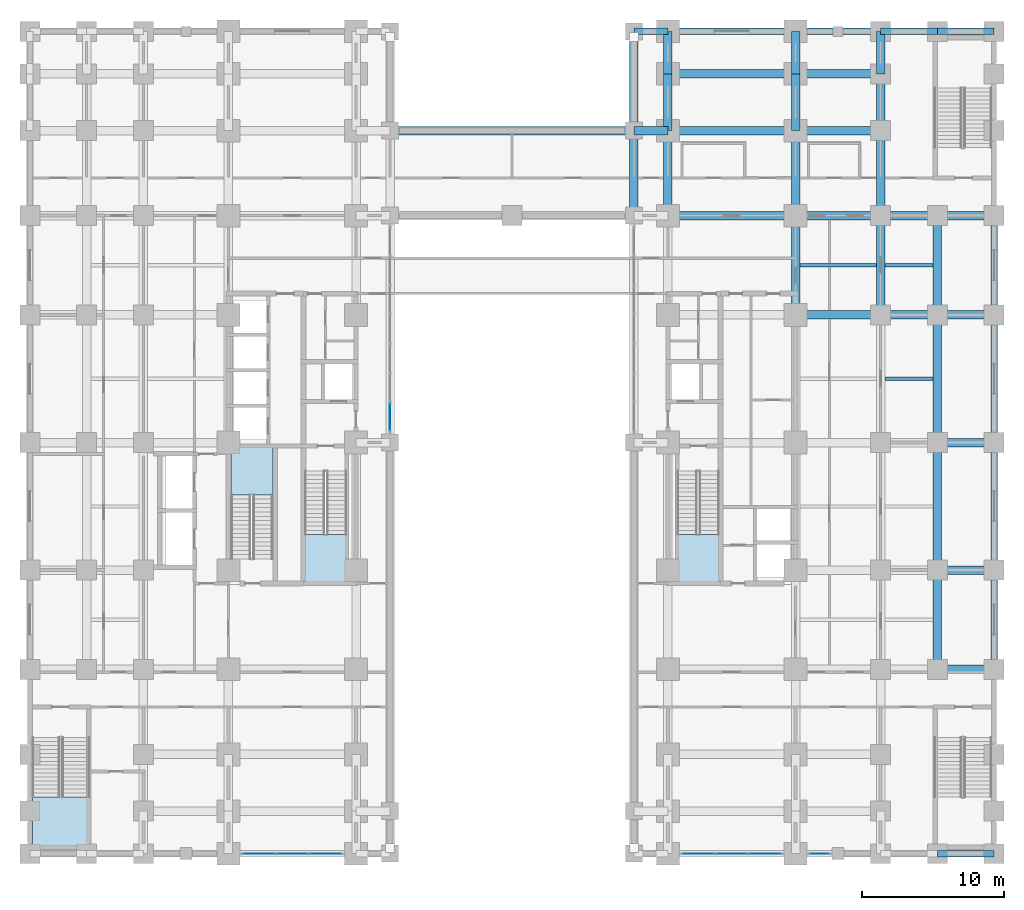
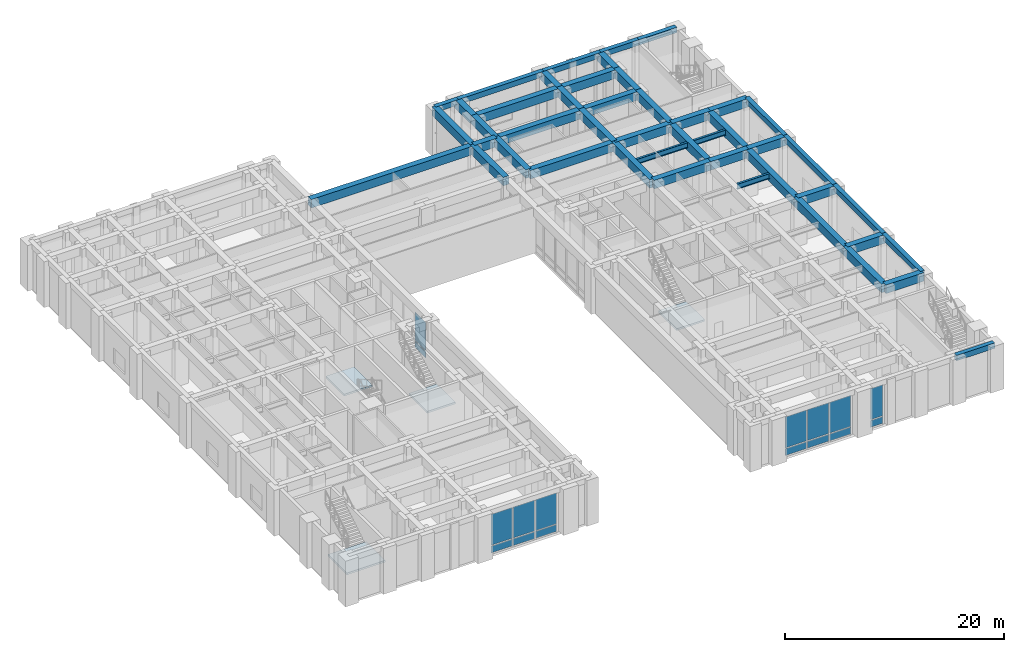
# One storey, part 6 of 21: 46 beams, 16 plates, 4 slabs, 8 elements without a shape of their own.
"""IFC4 building model written with IfcOpenShell, lengths in metres."""

from ifc_helpers import new_model, si_unit, direction, frame, origin, origin_2d, place, context, subcontext, project, spatial, polyline, rectangle, i_section, outline, extrude, material, layer, layer_set, material_profile, profile_set, type_object, element, aggregate, save


model = new_model("IFC4")

# Units and contexts
model_context = context("Model", 3, precision=1e-05, world=origin(), true_north=direction((0.0, 1.0)))
body_context = subcontext(model_context, "Body", "Model", "MODEL_VIEW")
ifc_project = project(units=[si_unit("LENGTHUNIT", "METRE"), si_unit("AREAUNIT", "SQUARE_METRE"), si_unit("VOLUMEUNIT", "CUBIC_METRE"), si_unit("PLANEANGLEUNIT", "RADIAN"), si_unit("MASSUNIT", "GRAM", prefix="KILO")], contexts=[model_context])

# Site, building, storey
site_placement = place(None, origin())
site = spatial("IfcSite", under=ifc_project, at=site_placement, CompositionType="ELEMENT")
building_placement = place(site_placement, origin())
building = spatial("IfcBuilding", under=site, at=building_placement, Name="Zulmaris Gate Convention Tower", CompositionType="ELEMENT")
storey_placement = place(building_placement, frame((0.0, 0.0, 5.43994140625)))
storey = spatial("IfcBuildingStorey", under=building, at=storey_placement, Name="L01", CompositionType="ELEMENT", Elevation=5.43994140625)

# Beams
ifc_material_1 = material(Name="Concrete C60/75", Category="concrete")
ifc_material_profile_1 = material_profile(ifc_material_1, rectangle(XDim=0.60009765625, YDim=0.949951171875, at=origin_2d()), Name="RC BEAM 600x950")
ifc_profile_set_1 = profile_set([ifc_material_profile_1], Name="Concrete C60/75")
beam_type_1 = type_object("IfcBeamType", Name="BM-RC600x950", PredefinedType="BEAM", material=ifc_profile_set_1)
for number, where, z_axis, x_axis, name in (
    (1, (30.0, -16.0, 4.614990234375), (1.0, 0.0, 0.0), (0.0, 1.0, 0.0), "L01 Beam BM-L01-X--16.0-+30.0"),
    (2, (30.0, -9.0, 4.614990234375), (1.0, 0.0, 0.0), (0.0, 1.0, 0.0), "L01 Beam BM-L01-X--9.0-+30.0"),
    (3, (30.0, 0.0, 4.614990234375), (1.0, 0.0, 0.0), (0.0, 1.0, 0.0), "L01 Beam BM-L01-X-+0.0-+30.0"),
):
    element("IfcBeam", number, at=place(storey_placement, frame(where, z_axis=z_axis, x_axis=x_axis)), inside=storey, type_object=beam_type_1, Name=name, PredefinedType="BEAM", context=body_context, shape_type="SweptSolid", body=[
        extrude(rectangle(XDim=0.60009765625, YDim=0.949951171875, at=origin_2d()), origin(), (0.0, 0.0, 1.0), 4.0),
    ])
beam_1_placement = place(storey_placement, frame((20.0, 9.0, 4.614990234375), z_axis=(1.0, 0.0, 0.0), x_axis=(0.0, 1.0, 0.0)))
element("IfcBeam", 4, at=beam_1_placement, inside=storey, type_object=beam_type_1, Name="L01 Beam BM-L01-X-+9.0-+20.0", PredefinedType="BEAM", context=body_context, shape_type="SweptSolid", body=[
    extrude(rectangle(XDim=0.60009765625, YDim=0.949951171875, at=origin_2d()), origin(), (0.0, 0.0, 1.0), 6.0),
])
for number, where, z_axis, x_axis, name in (
    (5, (26.0, 9.0, 4.614990234375), (1.0, 0.0, 0.0), (0.0, 1.0, 0.0), "L01 Beam BM-L01-X-+9.0-+26.0"),
    (6, (30.0, 9.0, 4.614990234375), (1.0, 0.0, 0.0), (0.0, 1.0, 0.0), "L01 Beam BM-L01-X-+9.0-+30.0"),
):
    element("IfcBeam", number, at=place(storey_placement, frame(where, z_axis=z_axis, x_axis=x_axis)), inside=storey, type_object=beam_type_1, Name=name, PredefinedType="BEAM", context=body_context, shape_type="SweptSolid", body=[
        extrude(rectangle(XDim=0.60009765625, YDim=0.949951171875, at=origin_2d()), origin(), (0.0, 0.0, 1.0), 4.0),
    ])
beam_2_placement = place(storey_placement, frame((11.0, 16.0, 4.614990234375), z_axis=(1.0, 0.0, 0.0), x_axis=(0.0, 1.0, 0.0)))
element("IfcBeam", 7, at=beam_2_placement, inside=storey, type_object=beam_type_1, Name="L01 Beam BM-L01-X-+16.0-+11.0", PredefinedType="BEAM", context=body_context, shape_type="SweptSolid", body=[
    extrude(rectangle(XDim=0.60009765625, YDim=0.949951171875, at=origin_2d()), origin(), (0.0, 0.0, 1.0), 9.0),
])
beam_3_placement = place(storey_placement, frame((20.0, 16.0, 4.614990234375), z_axis=(1.0, 0.0, 0.0), x_axis=(0.0, 1.0, 0.0)))
element("IfcBeam", 8, at=beam_3_placement, inside=storey, type_object=beam_type_1, Name="L01 Beam BM-L01-X-+16.0-+20.0", PredefinedType="BEAM", context=body_context, shape_type="SweptSolid", body=[
    extrude(rectangle(XDim=0.60009765625, YDim=0.949951171875, at=origin_2d()), origin(), (0.0, 0.0, 1.0), 6.0),
])
for number, where, z_axis, x_axis, name in (
    (9, (26.0, 16.0, 4.614990234375), (1.0, 0.0, 0.0), (0.0, 1.0, 0.0), "L01 Beam BM-L01-X-+16.0-+26.0"),
    (10, (30.0, 16.0, 4.614990234375), (1.0, 0.0, 0.0), (0.0, 1.0, 0.0), "L01 Beam BM-L01-X-+16.0-+30.0"),
):
    element("IfcBeam", number, at=place(storey_placement, frame(where, z_axis=z_axis, x_axis=x_axis)), inside=storey, type_object=beam_type_1, Name=name, PredefinedType="BEAM", context=body_context, shape_type="SweptSolid", body=[
        extrude(rectangle(XDim=0.60009765625, YDim=0.949951171875, at=origin_2d()), origin(), (0.0, 0.0, 1.0), 4.0),
    ])
beam_4_placement = place(storey_placement, frame((-8.60009765625, 22.0, 4.614990234375), z_axis=(1.0, 0.0, 0.0), x_axis=(0.0, 1.0, 0.0)))
element("IfcBeam", 11, at=beam_4_placement, inside=storey, type_object=beam_type_1, Name="L01 Beam BM-L01-X-+22.0--8.6", PredefinedType="BEAM", context=body_context, shape_type="SweptSolid", body=[
    extrude(rectangle(XDim=0.60009765625, YDim=0.949951171875, at=origin_2d()), origin(), (0.0, 0.0, 1.0), 17.2001953125),
])
beam_5_placement = place(storey_placement, frame((8.60009765625, 22.0, 4.614990234375), z_axis=(1.0, 0.0, 0.0), x_axis=(0.0, 1.0, 0.0)))
element("IfcBeam", 12, at=beam_5_placement, inside=storey, type_object=beam_type_1, Name="L01 Beam BM-L01-X-+22.0-+8.6", PredefinedType="BEAM", context=body_context, shape_type="SweptSolid", body=[
    extrude(rectangle(XDim=0.60009765625, YDim=0.949951171875, at=origin_2d()), origin(), (0.0, 0.0, 1.0), 2.39990234375),
])
beam_6_placement = place(storey_placement, frame((11.0, 22.0, 4.614990234375), z_axis=(1.0, 0.0, 0.0), x_axis=(0.0, 1.0, 0.0)))
element("IfcBeam", 13, at=beam_6_placement, inside=storey, type_object=beam_type_1, Name="L01 Beam BM-L01-X-+22.0-+11.0", PredefinedType="BEAM", context=body_context, shape_type="SweptSolid", body=[
    extrude(rectangle(XDim=0.60009765625, YDim=0.949951171875, at=origin_2d()), origin(), (0.0, 0.0, 1.0), 9.0),
])
beam_7_placement = place(storey_placement, frame((20.0, 22.0, 4.614990234375), z_axis=(1.0, 0.0, 0.0), x_axis=(0.0, 1.0, 0.0)))
element("IfcBeam", 14, at=beam_7_placement, inside=storey, type_object=beam_type_1, Name="L01 Beam BM-L01-X-+22.0-+20.0", PredefinedType="BEAM", context=body_context, shape_type="SweptSolid", body=[
    extrude(rectangle(XDim=0.60009765625, YDim=0.949951171875, at=origin_2d()), origin(), (0.0, 0.0, 1.0), 6.0),
])
beam_8_placement = place(storey_placement, frame((11.0, 26.0, 4.614990234375), z_axis=(1.0, 0.0, 0.0), x_axis=(0.0, 1.0, 0.0)))
element("IfcBeam", 15, at=beam_8_placement, inside=storey, type_object=beam_type_1, Name="L01 Beam BM-L01-X-+26.0-+11.0", PredefinedType="BEAM", context=body_context, shape_type="SweptSolid", body=[
    extrude(rectangle(XDim=0.60009765625, YDim=0.949951171875, at=origin_2d()), origin(), (0.0, 0.0, 1.0), 9.0),
])
for number, where, z_axis, x_axis, name in (
    (16, (20.0, 26.0, 4.614990234375), (1.0, 0.0, 0.0), (0.0, 1.0, 0.0), "L01 Beam BM-L01-X-+26.0-+20.0"),
    (17, (8.60009765625, 16.0, 4.614990234375), (0.0, 1.0, 0.0), (-1.0, 0.0, 0.0), "L01 Beam BM-L01-Y-+8.6-+16.0"),
):
    element("IfcBeam", number, at=place(storey_placement, frame(where, z_axis=z_axis, x_axis=x_axis)), inside=storey, type_object=beam_type_1, Name=name, PredefinedType="BEAM", context=body_context, shape_type="SweptSolid", body=[
        extrude(rectangle(XDim=0.60009765625, YDim=0.949951171875, at=origin_2d()), origin(), (0.0, 0.0, 1.0), 6.0),
    ])
beam_9_placement = place(storey_placement, frame((8.60009765625, 22.0, 4.614990234375), z_axis=(0.0, 1.0, 0.0), x_axis=(-1.0, 0.0, 0.0)))
element("IfcBeam", 18, at=beam_9_placement, inside=storey, type_object=beam_type_1, Name="L01 Beam BM-L01-Y-+8.6-+22.0", PredefinedType="BEAM", context=body_context, shape_type="SweptSolid", body=[
    extrude(rectangle(XDim=0.60009765625, YDim=0.949951171875, at=origin_2d()), origin(), (0.0, 0.0, 1.0), 7.0),
])
beam_10_placement = place(storey_placement, frame((11.0, 16.0, 4.614990234375), z_axis=(0.0, 1.0, 0.0), x_axis=(-1.0, 0.0, 0.0)))
element("IfcBeam", 19, at=beam_10_placement, inside=storey, type_object=beam_type_1, Name="L01 Beam BM-L01-Y-+11.0-+16.0", PredefinedType="BEAM", context=body_context, shape_type="SweptSolid", body=[
    extrude(rectangle(XDim=0.60009765625, YDim=0.949951171875, at=origin_2d()), origin(), (0.0, 0.0, 1.0), 6.0),
])
beam_11_placement = place(storey_placement, frame((11.0, 22.0, 4.614990234375), z_axis=(0.0, 1.0, 0.0), x_axis=(-1.0, 0.0, 0.0)))
element("IfcBeam", 20, at=beam_11_placement, inside=storey, type_object=beam_type_1, Name="L01 Beam BM-L01-Y-+11.0-+22.0", PredefinedType="BEAM", context=body_context, shape_type="SweptSolid", body=[
    extrude(rectangle(XDim=0.60009765625, YDim=0.949951171875, at=origin_2d()), origin(), (0.0, 0.0, 1.0), 4.0),
])
beam_12_placement = place(storey_placement, frame((11.0, 26.0, 4.614990234375), z_axis=(0.0, 1.0, 0.0), x_axis=(-1.0, 0.0, 0.0)))
element("IfcBeam", 21, at=beam_12_placement, inside=storey, type_object=beam_type_1, Name="L01 Beam BM-L01-Y-+11.0-+26.0", PredefinedType="BEAM", context=body_context, shape_type="SweptSolid", body=[
    extrude(rectangle(XDim=0.60009765625, YDim=0.949951171875, at=origin_2d()), origin(), (0.0, 0.0, 1.0), 3.0),
])
beam_13_placement = place(storey_placement, frame((20.0, 9.0, 4.614990234375), z_axis=(0.0, 1.0, 0.0), x_axis=(-1.0, 0.0, 0.0)))
element("IfcBeam", 22, at=beam_13_placement, inside=storey, type_object=beam_type_1, Name="L01 Beam BM-L01-Y-+20.0-+9.0", PredefinedType="BEAM", context=body_context, shape_type="SweptSolid", body=[
    extrude(rectangle(XDim=0.60009765625, YDim=0.949951171875, at=origin_2d()), origin(), (0.0, 0.0, 1.0), 7.0),
])
beam_14_placement = place(storey_placement, frame((20.0, 16.0, 4.614990234375), z_axis=(0.0, 1.0, 0.0), x_axis=(-1.0, 0.0, 0.0)))
element("IfcBeam", 23, at=beam_14_placement, inside=storey, type_object=beam_type_1, Name="L01 Beam BM-L01-Y-+20.0-+16.0", PredefinedType="BEAM", context=body_context, shape_type="SweptSolid", body=[
    extrude(rectangle(XDim=0.60009765625, YDim=0.949951171875, at=origin_2d()), origin(), (0.0, 0.0, 1.0), 6.0),
])
beam_15_placement = place(storey_placement, frame((20.0, 22.0, 4.614990234375), z_axis=(0.0, 1.0, 0.0), x_axis=(-1.0, 0.0, 0.0)))
element("IfcBeam", 24, at=beam_15_placement, inside=storey, type_object=beam_type_1, Name="L01 Beam BM-L01-Y-+20.0-+22.0", PredefinedType="BEAM", context=body_context, shape_type="SweptSolid", body=[
    extrude(rectangle(XDim=0.60009765625, YDim=0.949951171875, at=origin_2d()), origin(), (0.0, 0.0, 1.0), 4.0),
])
beam_16_placement = place(storey_placement, frame((20.0, 26.0, 4.614990234375), z_axis=(0.0, 1.0, 0.0), x_axis=(-1.0, 0.0, 0.0)))
element("IfcBeam", 25, at=beam_16_placement, inside=storey, type_object=beam_type_1, Name="L01 Beam BM-L01-Y-+20.0-+26.0", PredefinedType="BEAM", context=body_context, shape_type="SweptSolid", body=[
    extrude(rectangle(XDim=0.60009765625, YDim=0.949951171875, at=origin_2d()), origin(), (0.0, 0.0, 1.0), 3.0),
])
beam_17_placement = place(storey_placement, frame((26.0, 9.0, 4.614990234375), z_axis=(0.0, 1.0, 0.0), x_axis=(-1.0, 0.0, 0.0)))
element("IfcBeam", 26, at=beam_17_placement, inside=storey, type_object=beam_type_1, Name="L01 Beam BM-L01-Y-+26.0-+9.0", PredefinedType="BEAM", context=body_context, shape_type="SweptSolid", body=[
    extrude(rectangle(XDim=0.60009765625, YDim=0.949951171875, at=origin_2d()), origin(), (0.0, 0.0, 1.0), 7.0),
])
beam_18_placement = place(storey_placement, frame((26.0, 16.0, 4.614990234375), z_axis=(0.0, 1.0, 0.0), x_axis=(-1.0, 0.0, 0.0)))
element("IfcBeam", 27, at=beam_18_placement, inside=storey, type_object=beam_type_1, Name="L01 Beam BM-L01-Y-+26.0-+16.0", PredefinedType="BEAM", context=body_context, shape_type="SweptSolid", body=[
    extrude(rectangle(XDim=0.60009765625, YDim=0.949951171875, at=origin_2d()), origin(), (0.0, 0.0, 1.0), 6.0),
])
beam_19_placement = place(storey_placement, frame((26.0, 22.0, 4.614990234375), z_axis=(0.0, 1.0, 0.0), x_axis=(-1.0, 0.0, 0.0)))
element("IfcBeam", 28, at=beam_19_placement, inside=storey, type_object=beam_type_1, Name="L01 Beam BM-L01-Y-+26.0-+22.0", PredefinedType="BEAM", context=body_context, shape_type="SweptSolid", body=[
    extrude(rectangle(XDim=0.60009765625, YDim=0.949951171875, at=origin_2d()), origin(), (0.0, 0.0, 1.0), 4.0),
])
beam_20_placement = place(storey_placement, frame((26.0, 26.0, 4.614990234375), z_axis=(0.0, 1.0, 0.0), x_axis=(-1.0, 0.0, 0.0)))
element("IfcBeam", 29, at=beam_20_placement, inside=storey, type_object=beam_type_1, Name="L01 Beam BM-L01-Y-+26.0-+26.0", PredefinedType="BEAM", context=body_context, shape_type="SweptSolid", body=[
    extrude(rectangle(XDim=0.60009765625, YDim=0.949951171875, at=origin_2d()), origin(), (0.0, 0.0, 1.0), 3.0),
])
beam_21_placement = place(storey_placement, frame((30.0, -16.0, 4.614990234375), z_axis=(0.0, 1.0, 0.0), x_axis=(-1.0, 0.0, 0.0)))
element("IfcBeam", 30, at=beam_21_placement, inside=storey, type_object=beam_type_1, Name="L01 Beam BM-L01-Y-+30.0--16.0", PredefinedType="BEAM", context=body_context, shape_type="SweptSolid", body=[
    extrude(rectangle(XDim=0.60009765625, YDim=0.949951171875, at=origin_2d()), origin(), (0.0, 0.0, 1.0), 7.0),
])
for number, where, z_axis, x_axis, name in (
    (31, (30.0, -9.0, 4.614990234375), (0.0, 1.0, 0.0), (-1.0, 0.0, 0.0), "L01 Beam BM-L01-Y-+30.0--9.0"),
    (32, (30.0, 0.0, 4.614990234375), (0.0, 1.0, 0.0), (-1.0, 0.0, 0.0), "L01 Beam BM-L01-Y-+30.0-+0.0"),
):
    element("IfcBeam", number, at=place(storey_placement, frame(where, z_axis=z_axis, x_axis=x_axis)), inside=storey, type_object=beam_type_1, Name=name, PredefinedType="BEAM", context=body_context, shape_type="SweptSolid", body=[
        extrude(rectangle(XDim=0.60009765625, YDim=0.949951171875, at=origin_2d()), origin(), (0.0, 0.0, 1.0), 9.0),
    ])
beam_22_placement = place(storey_placement, frame((30.0, 9.0, 4.614990234375), z_axis=(0.0, 1.0, 0.0), x_axis=(-1.0, 0.0, 0.0)))
element("IfcBeam", 33, at=beam_22_placement, inside=storey, type_object=beam_type_1, Name="L01 Beam BM-L01-Y-+30.0-+9.0", PredefinedType="BEAM", context=body_context, shape_type="SweptSolid", body=[
    extrude(rectangle(XDim=0.60009765625, YDim=0.949951171875, at=origin_2d()), origin(), (0.0, 0.0, 1.0), 7.0),
])
ifc_material_2 = material(Name="Precast concrete C50/60", Category="concrete")
ifc_material_profile_2 = material_profile(ifc_material_2, rectangle(XDim=0.449951171875, YDim=0.60009765625, at=origin_2d()), Name="RC SPANDREL 450x600")
ifc_profile_set_2 = profile_set([ifc_material_profile_2], Name="Precast concrete C50/60")
beam_type_2 = type_object("IfcBeamType", Name="BM-SP450x600", PredefinedType="SPANDREL", material=ifc_profile_set_2)
beam_23_placement = place(storey_placement, frame((30.0, -29.0, 4.7900390625), z_axis=(1.0, 0.0, 0.0), x_axis=(0.0, 1.0, 0.0)))
element("IfcBeam", 34, at=beam_23_placement, inside=storey, type_object=beam_type_2, Name="L01 Spandrel BM-L01-X--29.0-+30.0", PredefinedType="SPANDREL", context=body_context, shape_type="SweptSolid", body=[
    extrude(rectangle(XDim=0.449951171875, YDim=0.60009765625, at=origin_2d()), origin(), (0.0, 0.0, 1.0), 4.0),
])
beam_24_placement = place(storey_placement, frame((8.60009765625, 29.0, 4.7900390625), z_axis=(1.0, 0.0, 0.0), x_axis=(0.0, 1.0, 0.0)))
element("IfcBeam", 35, at=beam_24_placement, inside=storey, type_object=beam_type_2, Name="L01 Spandrel BM-L01-X-+29.0-+8.6", PredefinedType="SPANDREL", context=body_context, shape_type="SweptSolid", body=[
    extrude(rectangle(XDim=0.449951171875, YDim=0.60009765625, at=origin_2d()), origin(), (0.0, 0.0, 1.0), 2.39990234375),
])
beam_25_placement = place(storey_placement, frame((11.0, 29.0, 4.7900390625), z_axis=(1.0, 0.0, 0.0), x_axis=(0.0, 1.0, 0.0)))
element("IfcBeam", 36, at=beam_25_placement, inside=storey, type_object=beam_type_2, Name="L01 Spandrel BM-L01-X-+29.0-+11.0", PredefinedType="SPANDREL", context=body_context, shape_type="SweptSolid", body=[
    extrude(rectangle(XDim=0.449951171875, YDim=0.60009765625, at=origin_2d()), origin(), (0.0, 0.0, 1.0), 9.0),
])
beam_26_placement = place(storey_placement, frame((20.0, 29.0, 4.7900390625), z_axis=(1.0, 0.0, 0.0), x_axis=(0.0, 1.0, 0.0)))
element("IfcBeam", 37, at=beam_26_placement, inside=storey, type_object=beam_type_2, Name="L01 Spandrel BM-L01-X-+29.0-+20.0", PredefinedType="SPANDREL", context=body_context, shape_type="SweptSolid", body=[
    extrude(rectangle(XDim=0.449951171875, YDim=0.60009765625, at=origin_2d()), origin(), (0.0, 0.0, 1.0), 6.0),
])
for number, where, z_axis, x_axis, name in (
    (38, (26.0, 29.0, 4.7900390625), (1.0, 0.0, 0.0), (0.0, 1.0, 0.0), "L01 Spandrel BM-L01-X-+29.0-+26.0"),
    (39, (30.0, 29.0, 4.7900390625), (1.0, 0.0, 0.0), (0.0, 1.0, 0.0), "L01 Spandrel BM-L01-X-+29.0-+30.0"),
):
    element("IfcBeam", number, at=place(storey_placement, frame(where, z_axis=z_axis, x_axis=x_axis)), inside=storey, type_object=beam_type_2, Name=name, PredefinedType="SPANDREL", context=body_context, shape_type="SweptSolid", body=[
        extrude(rectangle(XDim=0.449951171875, YDim=0.60009765625, at=origin_2d()), origin(), (0.0, 0.0, 1.0), 4.0),
    ])
beam_27_placement = place(storey_placement, frame((34.0, -16.0, 4.7900390625), z_axis=(0.0, 1.0, 0.0), x_axis=(-1.0, 0.0, 0.0)))
element("IfcBeam", 40, at=beam_27_placement, inside=storey, type_object=beam_type_2, Name="L01 Spandrel BM-L01-Y-+34.0--16.0", PredefinedType="SPANDREL", context=body_context, shape_type="SweptSolid", body=[
    extrude(rectangle(XDim=0.449951171875, YDim=0.60009765625, at=origin_2d()), origin(), (0.0, 0.0, 1.0), 7.0),
])
for number, where, z_axis, x_axis, name in (
    (41, (34.0, -9.0, 4.7900390625), (0.0, 1.0, 0.0), (-1.0, 0.0, 0.0), "L01 Spandrel BM-L01-Y-+34.0--9.0"),
    (42, (34.0, 0.0, 4.7900390625), (0.0, 1.0, 0.0), (-1.0, 0.0, 0.0), "L01 Spandrel BM-L01-Y-+34.0-+0.0"),
):
    element("IfcBeam", number, at=place(storey_placement, frame(where, z_axis=z_axis, x_axis=x_axis)), inside=storey, type_object=beam_type_2, Name=name, PredefinedType="SPANDREL", context=body_context, shape_type="SweptSolid", body=[
        extrude(rectangle(XDim=0.449951171875, YDim=0.60009765625, at=origin_2d()), origin(), (0.0, 0.0, 1.0), 9.0),
    ])
beam_28_placement = place(storey_placement, frame((34.0, 9.0, 4.7900390625), z_axis=(0.0, 1.0, 0.0), x_axis=(-1.0, 0.0, 0.0)))
element("IfcBeam", 43, at=beam_28_placement, inside=storey, type_object=beam_type_2, Name="L01 Spandrel BM-L01-Y-+34.0-+9.0", PredefinedType="SPANDREL", context=body_context, shape_type="SweptSolid", body=[
    extrude(rectangle(XDim=0.449951171875, YDim=0.60009765625, at=origin_2d()), origin(), (0.0, 0.0, 1.0), 7.0),
])
ifc_material_3 = material(Name="Steel S355", Category="steel")
ifc_material_profile_3 = material_profile(ifc_material_3, i_section(OverallWidth=0.219970703125, OverallDepth=0.60009765625, WebThickness=0.011962890625, FlangeThickness=0.01904296875, FilletRadius=0.02392578125, at=origin_2d()), Name="IPE 600")
ifc_profile_set_3 = profile_set([ifc_material_profile_3], Name="Steel S355")
beam_type_3 = type_object("IfcBeamType", Name="JT-IPE600", PredefinedType="JOIST", material=ifc_profile_set_3)
beam_29_placement = place(storey_placement, frame((20.300048828125, 12.5, 4.787841796875), z_axis=(1.0, 0.0, 0.0), x_axis=(0.0, 1.0, 0.0)))
element("IfcBeam", 44, at=beam_29_placement, inside=storey, type_object=beam_type_3, Name="L01 Joist JT-L01-+20_+26-+12.5", PredefinedType="JOIST", context=body_context, shape_type="SweptSolid", body=[
    extrude(i_section(OverallWidth=0.219970703125, OverallDepth=0.60009765625, WebThickness=0.011962890625, FlangeThickness=0.01904296875, FilletRadius=0.02392578125, at=origin_2d()), origin(), (0.0, 0.0, 1.0), 5.39990234375),
])
for number, where, z_axis, x_axis, name in (
    (45, (26.300048828125, 4.5, 4.787841796875), (1.0, 0.0, 0.0), (0.0, 1.0, 0.0), "L01 Joist JT-L01-+26_+30-+4.5"),
    (46, (26.300048828125, 12.5, 4.787841796875), (1.0, 0.0, 0.0), (0.0, 1.0, 0.0), "L01 Joist JT-L01-+26_+30-+12.5"),
):
    element("IfcBeam", number, at=place(storey_placement, frame(where, z_axis=z_axis, x_axis=x_axis)), inside=storey, type_object=beam_type_3, Name=name, PredefinedType="JOIST", context=body_context, shape_type="SweptSolid", body=[
        extrude(i_section(OverallWidth=0.219970703125, OverallDepth=0.60009765625, WebThickness=0.011962890625, FlangeThickness=0.01904296875, FilletRadius=0.02392578125, at=origin_2d()), origin(), (0.0, 0.0, 1.0), 3.39990234375),
    ])

# Curtain wall, plates
ifc_material_4 = material(Name="Anodised Aluminium", Category="aluminium")
curtain_wall_type_1 = type_object("IfcCurtainWallType", Name="CW-01", PredefinedType="NOTDEFINED", material=ifc_material_4)
curtain_wall_1_placement = place(storey_placement, origin())
curtain_wall_1 = element("IfcCurtainWall", 47, at=curtain_wall_1_placement, inside=storey, type_object=curtain_wall_type_1, Name="CW-01 CW01-L01-S-20_0", PredefinedType="NOTDEFINED")
ifc_material_5 = material(Name="Low-E Double Glazing", Category="glass")
ifc_layer_1 = layer(ifc_material_5, 0.028076171875, Name="Low-E Double Glazing")
ifc_layer_set_1 = layer_set([ifc_layer_1], Name="Low-E Double Glazing")
plate_type_1 = type_object("IfcPlateType", Name="CW-01-VISION", PredefinedType="CURTAIN_PANEL", material=ifc_layer_set_1)
plate_1_placement = place(storey_placement, frame((-17.83740234375, -29.0, 0.08984375), z_axis=(0.0, 0.0, 1.0), x_axis=(1.0, 0.0, 0.0)))
plate_1 = element("IfcPlate", 48, at=plate_1_placement, type_object=plate_type_1, Name="CW-01 panel 1.1", PredefinedType="CURTAIN_PANEL", context=body_context, shape_type="SweptSolid", body=[
    extrude(rectangle(XDim=2.22509765625, YDim=0.028076171875, at=origin_2d()), origin(), (0.0, 0.0, 1.0), 0.764892578125),
])
plate_2_placement = place(storey_placement, frame((-17.83740234375, -29.0, 0.94482421875), z_axis=(0.0, 0.0, 1.0), x_axis=(1.0, 0.0, 0.0)))
plate_2 = element("IfcPlate", 49, at=plate_2_placement, type_object=plate_type_1, Name="CW-01 panel 1.2", PredefinedType="CURTAIN_PANEL", context=body_context, shape_type="SweptSolid", body=[
    extrude(rectangle(XDim=2.22509765625, YDim=0.028076171875, at=origin_2d()), origin(), (0.0, 0.0, 1.0), 3.447021484375),
])
plate_3_placement = place(storey_placement, frame((-15.5, -29.0, 0.08984375), z_axis=(0.0, 0.0, 1.0), x_axis=(1.0, 0.0, 0.0)))
plate_3 = element("IfcPlate", 50, at=plate_3_placement, type_object=plate_type_1, Name="CW-01 panel 2.1", PredefinedType="CURTAIN_PANEL", context=body_context, shape_type="SweptSolid", body=[
    extrude(rectangle(XDim=2.27001953125, YDim=0.028076171875, at=origin_2d()), origin(), (0.0, 0.0, 1.0), 0.764892578125),
])
plate_4_placement = place(storey_placement, frame((-15.5, -29.0, 0.94482421875), z_axis=(0.0, 0.0, 1.0), x_axis=(1.0, 0.0, 0.0)))
plate_4 = element("IfcPlate", 51, at=plate_4_placement, type_object=plate_type_1, Name="CW-01 panel 2.2", PredefinedType="CURTAIN_PANEL", context=body_context, shape_type="SweptSolid", body=[
    extrude(rectangle(XDim=2.27001953125, YDim=0.028076171875, at=origin_2d()), origin(), (0.0, 0.0, 1.0), 3.447021484375),
])
plate_5_placement = place(storey_placement, frame((-13.16259765625, -29.0, 0.08984375), z_axis=(0.0, 0.0, 1.0), x_axis=(1.0, 0.0, 0.0)))
plate_5 = element("IfcPlate", 52, at=plate_5_placement, type_object=plate_type_1, Name="CW-01 panel 3.1", PredefinedType="CURTAIN_PANEL", context=body_context, shape_type="SweptSolid", body=[
    extrude(rectangle(XDim=2.22509765625, YDim=0.028076171875, at=origin_2d()), origin(), (0.0, 0.0, 1.0), 0.764892578125),
])
plate_6_placement = place(storey_placement, frame((-13.16259765625, -29.0, 0.94482421875), z_axis=(0.0, 0.0, 1.0), x_axis=(1.0, 0.0, 0.0)))
plate_6 = element("IfcPlate", 53, at=plate_6_placement, type_object=plate_type_1, Name="CW-01 panel 3.2", PredefinedType="CURTAIN_PANEL", context=body_context, shape_type="SweptSolid", body=[
    extrude(rectangle(XDim=2.22509765625, YDim=0.028076171875, at=origin_2d()), origin(), (0.0, 0.0, 1.0), 3.447021484375),
])
aggregate(curtain_wall_1, [plate_1, plate_2, plate_3, plate_4, plate_5, plate_6])

curtain_wall_2_placement = place(storey_placement, origin())
curtain_wall_2 = element("IfcCurtainWall", 54, at=curtain_wall_2_placement, inside=storey, type_object=curtain_wall_type_1, Name="CW-01 CW01-L01-S11_0", PredefinedType="NOTDEFINED")
plate_7_placement = place(storey_placement, frame((13.16259765625, -29.0, 0.08984375), z_axis=(0.0, 0.0, 1.0), x_axis=(1.0, 0.0, 0.0)))
plate_7 = element("IfcPlate", 55, at=plate_7_placement, type_object=plate_type_1, Name="CW-01 panel 1.1", PredefinedType="CURTAIN_PANEL", context=body_context, shape_type="SweptSolid", body=[
    extrude(rectangle(XDim=2.22509765625, YDim=0.028076171875, at=origin_2d()), origin(), (0.0, 0.0, 1.0), 0.764892578125),
])
plate_8_placement = place(storey_placement, frame((13.16259765625, -29.0, 0.94482421875), z_axis=(0.0, 0.0, 1.0), x_axis=(1.0, 0.0, 0.0)))
plate_8 = element("IfcPlate", 56, at=plate_8_placement, type_object=plate_type_1, Name="CW-01 panel 1.2", PredefinedType="CURTAIN_PANEL", context=body_context, shape_type="SweptSolid", body=[
    extrude(rectangle(XDim=2.22509765625, YDim=0.028076171875, at=origin_2d()), origin(), (0.0, 0.0, 1.0), 3.447021484375),
])
plate_9_placement = place(storey_placement, frame((15.5, -29.0, 0.08984375), z_axis=(0.0, 0.0, 1.0), x_axis=(1.0, 0.0, 0.0)))
plate_9 = element("IfcPlate", 57, at=plate_9_placement, type_object=plate_type_1, Name="CW-01 panel 2.1", PredefinedType="CURTAIN_PANEL", context=body_context, shape_type="SweptSolid", body=[
    extrude(rectangle(XDim=2.27001953125, YDim=0.028076171875, at=origin_2d()), origin(), (0.0, 0.0, 1.0), 0.764892578125),
])
plate_10_placement = place(storey_placement, frame((15.5, -29.0, 0.94482421875), z_axis=(0.0, 0.0, 1.0), x_axis=(1.0, 0.0, 0.0)))
plate_10 = element("IfcPlate", 58, at=plate_10_placement, type_object=plate_type_1, Name="CW-01 panel 2.2", PredefinedType="CURTAIN_PANEL", context=body_context, shape_type="SweptSolid", body=[
    extrude(rectangle(XDim=2.27001953125, YDim=0.028076171875, at=origin_2d()), origin(), (0.0, 0.0, 1.0), 3.447021484375),
])
plate_11_placement = place(storey_placement, frame((17.83740234375, -29.0, 0.08984375), z_axis=(0.0, 0.0, 1.0), x_axis=(1.0, 0.0, 0.0)))
plate_11 = element("IfcPlate", 59, at=plate_11_placement, type_object=plate_type_1, Name="CW-01 panel 3.1", PredefinedType="CURTAIN_PANEL", context=body_context, shape_type="SweptSolid", body=[
    extrude(rectangle(XDim=2.22509765625, YDim=0.028076171875, at=origin_2d()), origin(), (0.0, 0.0, 1.0), 0.764892578125),
])
plate_12_placement = place(storey_placement, frame((17.83740234375, -29.0, 0.94482421875), z_axis=(0.0, 0.0, 1.0), x_axis=(1.0, 0.0, 0.0)))
plate_12 = element("IfcPlate", 60, at=plate_12_placement, type_object=plate_type_1, Name="CW-01 panel 3.2", PredefinedType="CURTAIN_PANEL", context=body_context, shape_type="SweptSolid", body=[
    extrude(rectangle(XDim=2.22509765625, YDim=0.028076171875, at=origin_2d()), origin(), (0.0, 0.0, 1.0), 3.447021484375),
])
aggregate(curtain_wall_2, [plate_7, plate_8, plate_9, plate_10, plate_11, plate_12])

curtain_wall_3_placement = place(storey_placement, origin())
curtain_wall_3 = element("IfcCurtainWall", 61, at=curtain_wall_3_placement, inside=storey, type_object=curtain_wall_type_1, Name="CW-01 CW01-L01-S20_0", PredefinedType="NOTDEFINED")
plate_13_placement = place(storey_placement, frame((21.6875, -29.0, 0.08984375), z_axis=(0.0, 0.0, 1.0), x_axis=(1.0, 0.0, 0.0)))
plate_13 = element("IfcPlate", 62, at=plate_13_placement, type_object=plate_type_1, Name="CW-01 panel 1.1", PredefinedType="CURTAIN_PANEL", context=body_context, shape_type="SweptSolid", body=[
    extrude(rectangle(XDim=1.27490234375, YDim=0.028076171875, at=origin_2d()), origin(), (0.0, 0.0, 1.0), 0.764892578125),
])
plate_14_placement = place(storey_placement, frame((21.6875, -29.0, 0.94482421875), z_axis=(0.0, 0.0, 1.0), x_axis=(1.0, 0.0, 0.0)))
plate_14 = element("IfcPlate", 63, at=plate_14_placement, type_object=plate_type_1, Name="CW-01 panel 1.2", PredefinedType="CURTAIN_PANEL", context=body_context, shape_type="SweptSolid", body=[
    extrude(rectangle(XDim=1.27490234375, YDim=0.028076171875, at=origin_2d()), origin(), (0.0, 0.0, 1.0), 3.447021484375),
])
aggregate(curtain_wall_3, [plate_13, plate_14])

curtain_wall_type_2 = type_object("IfcCurtainWallType", Name="CW-02", PredefinedType="NOTDEFINED", material=ifc_material_4)
curtain_wall_4_placement = place(storey_placement, origin())
curtain_wall_4 = element("IfcCurtainWall", 64, at=curtain_wall_4_placement, inside=storey, type_object=curtain_wall_type_2, Name="CW-02 CW02-L01-WL_0", PredefinedType="NOTDEFINED")
ifc_layer_2 = layer(ifc_material_5, 0.028076171875, Name="Low-E Double Glazing")
ifc_layer_set_2 = layer_set([ifc_layer_2], Name="Low-E Double Glazing")
plate_type_2 = type_object("IfcPlateType", Name="CW-02-VISION", PredefinedType="CURTAIN_PANEL", material=ifc_layer_set_2)
plate_15_placement = place(storey_placement, frame((-8.60009765625, 1.81689453125, 0.08984375), z_axis=(0.0, 0.0, 1.0), x_axis=(0.0, 1.0, 0.0)))
plate_15 = element("IfcPlate", 65, at=plate_15_placement, type_object=plate_type_2, Name="CW-02 panel 1.1", PredefinedType="CURTAIN_PANEL", context=body_context, shape_type="SweptSolid", body=[
    extrude(rectangle(XDim=1.93359375, YDim=0.028076171875, at=origin_2d()), origin(), (0.0, 0.0, 1.0), 0.715087890625),
])
plate_16_placement = place(storey_placement, frame((-8.60009765625, 1.81689453125, 0.89501953125), z_axis=(0.0, 0.0, 1.0), x_axis=(0.0, 1.0, 0.0)))
plate_16 = element("IfcPlate", 66, at=plate_16_placement, type_object=plate_type_2, Name="CW-02 panel 1.2", PredefinedType="CURTAIN_PANEL", context=body_context, shape_type="SweptSolid", body=[
    extrude(rectangle(XDim=1.93359375, YDim=0.028076171875, at=origin_2d()), origin(), (0.0, 0.0, 1.0), 3.14697265625),
])
aggregate(curtain_wall_4, [plate_15, plate_16])

# Stair, slab
ifc_material_6 = material(Name="Concrete C45/55", Category="concrete")
stair_type_1 = type_object("IfcStairType", Name="ST-CORE-DOGLEG", PredefinedType="HALF_TURN_STAIR", material=ifc_material_6)
stair_1_placement = place(storey_placement, origin())
stair_1 = element("IfcStair", 67, at=stair_1_placement, inside=storey, type_object=stair_type_1, Name="L01 Core Exit Stair ST-1", PredefinedType="HALF_TURN_STAIR")
ifc_layer_3 = layer(ifc_material_6, 0.199951171875, Name="Concrete C45/55")
ifc_layer_set_3 = layer_set([ifc_layer_3], Name="Concrete C45/55")
slab_type = type_object("IfcSlabType", Name="SL-LND-200", PredefinedType="LANDING", material=ifc_layer_set_3)
slab_1_placement = place(storey_placement, frame((0.0, 0.0, 2.52001953125)))
slab_1 = element("IfcSlab", 68, at=slab_1_placement, type_object=slab_type, Name="ST-1 landing 1", PredefinedType="LANDING", context=body_context, shape_type="SweptSolid", body=[
    extrude(outline(polyline([(-14.6201171875, -6.5), (-14.6201171875, -9.85009765625), (-11.659912109375, -9.85009765625), (-11.659912109375, -6.5), (-14.6201171875, -6.5)])), origin(), (0.0, 0.0, 1.0), 0.199951171875),
])
aggregate(stair_1, [slab_1])

stair_2_placement = place(storey_placement, origin())
stair_2 = element("IfcStair", 69, at=stair_2_placement, inside=storey, type_object=stair_type_1, Name="L01 Core Exit Stair ST-2", PredefinedType="HALF_TURN_STAIR")
slab_2_placement = place(storey_placement, frame((0.0, 0.0, 2.52001953125)))
slab_2 = element("IfcSlab", 70, at=slab_2_placement, type_object=slab_type, Name="ST-2 landing 1", PredefinedType="LANDING", context=body_context, shape_type="SweptSolid", body=[
    extrude(outline(polyline([(11.659912109375, -6.5), (11.659912109375, -9.85009765625), (14.6201171875, -9.85009765625), (14.6201171875, -6.5), (11.659912109375, -6.5)])), origin(), (0.0, 0.0, 1.0), 0.199951171875),
])
aggregate(stair_2, [slab_2])

stair_3_placement = place(storey_placement, origin())
stair_3 = element("IfcStair", 71, at=stair_3_placement, inside=storey, type_object=stair_type_1, Name="L01 Core Exit Stair ST-3", PredefinedType="HALF_TURN_STAIR")
slab_3_placement = place(storey_placement, frame((0.0, 0.0, 2.52001953125)))
slab_3 = element("IfcSlab", 72, at=slab_3_placement, type_object=slab_type, Name="ST-3 landing 1", PredefinedType="LANDING", context=body_context, shape_type="SweptSolid", body=[
    extrude(outline(polyline([(-16.860107421875, -3.699951171875), (-16.860107421875, -0.35009765625), (-19.820068359375, -0.35009765625), (-19.820068359375, -3.699951171875), (-16.860107421875, -3.699951171875)])), origin(), (0.0, 0.0, 1.0), 0.199951171875),
])
aggregate(stair_3, [slab_3])

stair_type_2 = type_object("IfcStairType", Name="ST-POD-DOGLEG", PredefinedType="HALF_TURN_STAIR", material=ifc_material_6)
stair_4_placement = place(storey_placement, origin())
stair_4 = element("IfcStair", 73, at=stair_4_placement, inside=storey, type_object=stair_type_2, Name="L01 Podium Exit Stair ST-4", PredefinedType="HALF_TURN_STAIR")
slab_4_placement = place(storey_placement, frame((0.0, 0.0, 2.52001953125)))
slab_4 = element("IfcSlab", 74, at=slab_4_placement, type_object=slab_type, Name="ST-4 landing 1", PredefinedType="LANDING", context=body_context, shape_type="SweptSolid", body=[
    extrude(outline(polyline([(-33.830078125, -25.0), (-33.830078125, -28.449951171875), (-29.780029296875, -28.449951171875), (-29.780029296875, -25.0), (-33.830078125, -25.0)])), origin(), (0.0, 0.0, 1.0), 0.199951171875),
])
aggregate(stair_4, [slab_4])

save(model, "model.ifc")
